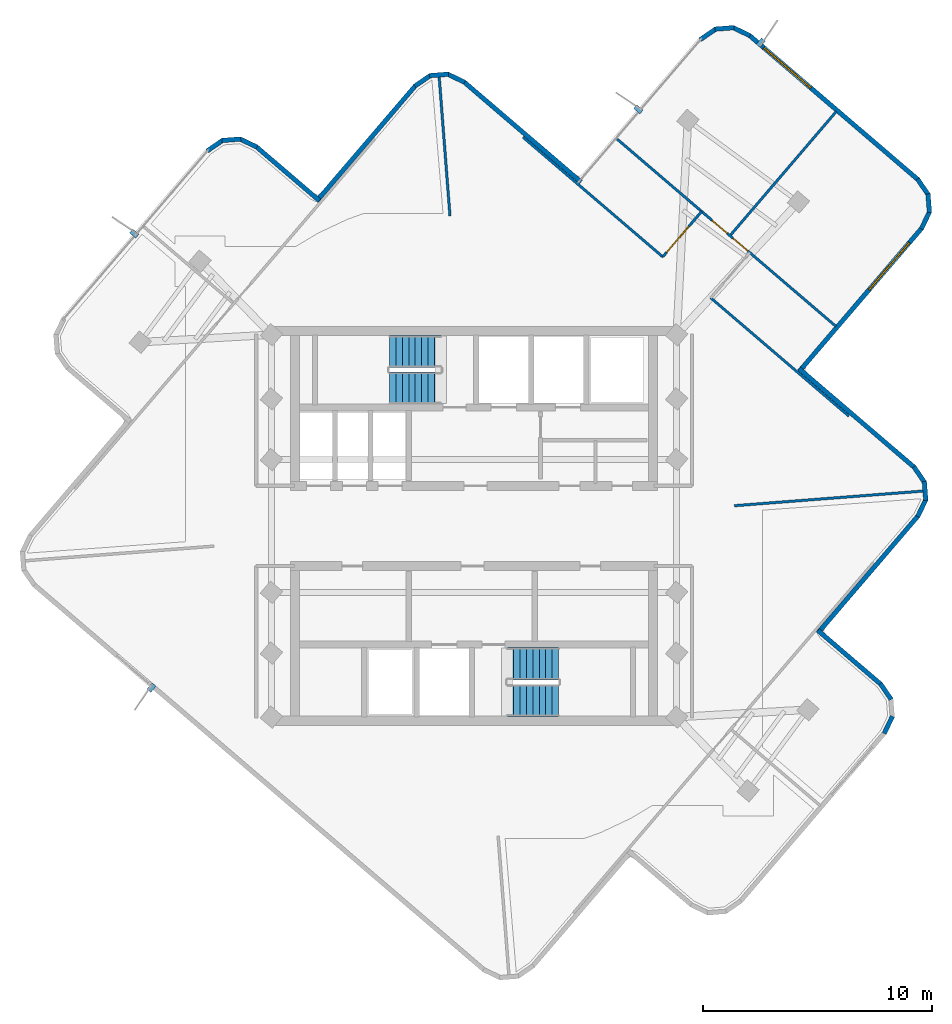
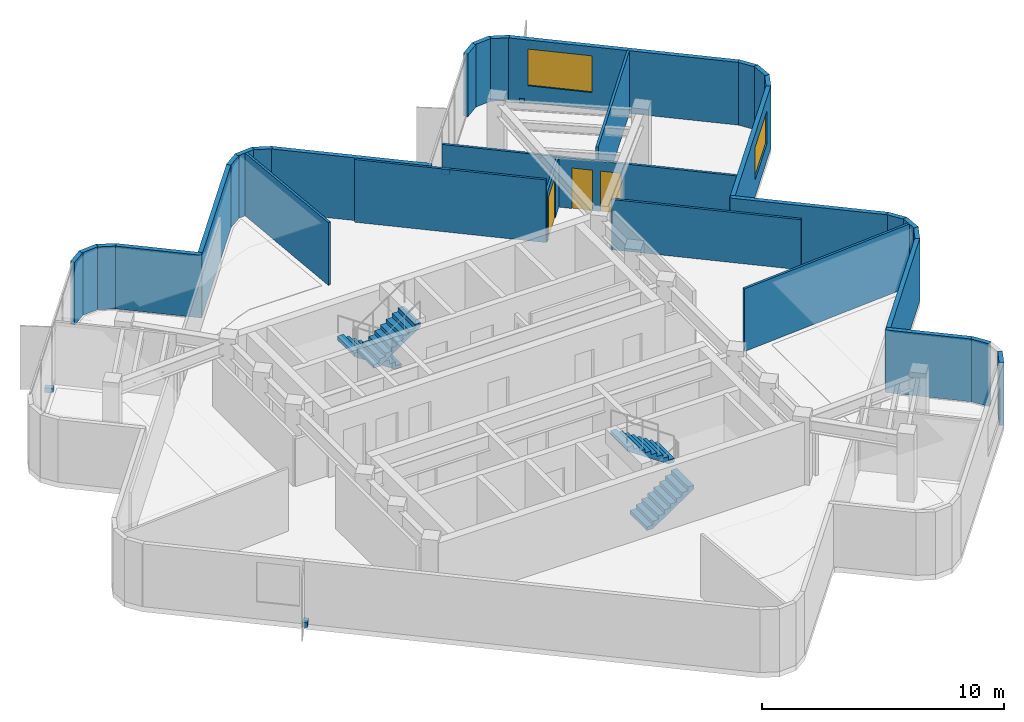
# One storey, part 7 of 10: 32 walls, 4 discrete accessories, 4 stair flights, 3 doors, 2 windows, 5 openings, 2 elements without a shape of their own.
"""IFC4 building model written with IfcOpenShell, lengths in metres."""

from ifc_helpers import new_model, si_unit, direction, frame, frame_2d, origin, origin_2d, place, context, subcontext, project, spatial, polyline, rectangle, outline, extrude, material, layer, layer_set, type_object, element, fill, aggregate, save


model = new_model("IFC4")

# Units and contexts
model_context = context("Model", 3, precision=1e-05, world=origin(), true_north=direction((0.0, 1.0)))
body_context = subcontext(model_context, "Body", "Model", "MODEL_VIEW")
ifc_project = project(units=[si_unit("LENGTHUNIT", "METRE"), si_unit("AREAUNIT", "SQUARE_METRE"), si_unit("VOLUMEUNIT", "CUBIC_METRE"), si_unit("PLANEANGLEUNIT", "RADIAN"), si_unit("MASSUNIT", "GRAM", prefix="KILO")], contexts=[model_context])

# Site, building, storey
site_placement = place(None, origin())
site = spatial("IfcSite", under=ifc_project, at=site_placement, CompositionType="ELEMENT")
building_placement = place(site_placement, origin())
building = spatial("IfcBuilding", under=site, at=building_placement, Name="Solmarez Civic Tower", CompositionType="ELEMENT")
storey_placement = place(building_placement, frame((0.0, 0.0, 254.340087890625)))
storey = spatial("IfcBuildingStorey", under=building, at=storey_placement, Name="L68", CompositionType="ELEMENT", Elevation=254.340087890625)

# Walls
ifc_material_1 = material(Name="Precast concrete C40/50", Category="concrete")
ifc_layer_1 = layer(ifc_material_1, 0.199951171875)
ifc_layer_set_1 = layer_set([ifc_layer_1], Name="Precast concrete C40/50")
wall_type_1 = type_object("IfcWallType", Name="WALL-EXT-200", PredefinedType="SOLIDWALL", material=ifc_layer_set_1)
wall_1_placement = place(storey_placement, frame((-11.657958984375, 16.3779296875, 0.0), z_axis=(0.0, 0.0, 1.0), x_axis=(0.824907237821, 0.565268121329, 0.0)))
element("IfcWall", 1, at=wall_1_placement, inside=storey, type_object=wall_type_1, Name="L68 Exterior Precast Wall 18", PredefinedType="SOLIDWALL", context=body_context, shape_type="SweptSolid", body=[
    extrude(rectangle(XDim=0.8388671875, YDim=0.199951171875, at=frame_2d((0.41943359375, 0.0))), origin(), (0.0, 0.0, 1.0), 3.159912109375),
])
wall_2_placement = place(storey_placement, frame((-11.011962890625, 16.8359375, 0.0), z_axis=(0.0, 0.0, 1.0), x_axis=(0.996986164412, 0.077579558977, 0.0)))
element("IfcWall", 2, at=wall_2_placement, inside=storey, type_object=wall_type_1, Name="L68 Exterior Precast Wall 19", PredefinedType="SOLIDWALL", context=body_context, shape_type="SweptSolid", body=[
    extrude(rectangle(XDim=0.824462890625, YDim=0.199951171875, at=frame_2d((0.412109375, 0.0))), origin(), (0.0, 0.0, 1.0), 3.159912109375),
])
wall_3_placement = place(storey_placement, frame((-10.238037109375, 16.908935546875, 0.0), z_axis=(0.0, 0.0, 1.0), x_axis=(0.902473334209, -0.430745726666, 0.0)))
element("IfcWall", 3, at=wall_3_placement, inside=storey, type_object=wall_type_1, Name="L68 Exterior Precast Wall 20", PredefinedType="SOLIDWALL", context=body_context, shape_type="SweptSolid", body=[
    extrude(rectangle(XDim=0.840087890625, YDim=0.199951171875, at=frame_2d((0.419921875, 0.0))), origin(), (0.0, 0.0, 1.0), 3.159912109375),
])
wall_4_placement = place(storey_placement, frame((-9.52197265625, 16.573974609375, 0.0), z_axis=(0.0, 0.0, 1.0), x_axis=(0.759914066759, -0.650023546606, 0.0)))
element("IfcWall", 4, at=wall_4_placement, inside=storey, type_object=wall_type_1, Name="L68 Exterior Precast Wall 21", PredefinedType="SOLIDWALL", context=body_context, shape_type="SweptSolid", body=[
    extrude(rectangle(XDim=3.641357421875, YDim=0.199951171875, at=frame_2d((1.82080078125, 0.0))), origin(), (0.0, 0.0, 1.0), 3.159912109375),
])
wall_5_placement = place(storey_placement, frame((-6.867919921875, 14.197998046875, 0.0), z_axis=(0.0, 0.0, 1.0), x_axis=(0.650240147413, 0.759728734939, 0.0)))
element("IfcWall", 5, at=wall_5_placement, inside=storey, type_object=wall_type_1, Name="L68 Exterior Precast Wall 24", PredefinedType="SOLIDWALL", context=body_context, shape_type="SweptSolid", body=[
    extrude(rectangle(XDim=6.640380859375, YDim=0.199951171875, at=frame_2d((3.3203125, 0.0))), origin(), (0.0, 0.0, 1.0), 3.159912109375),
])
wall_6_placement = place(storey_placement, frame((-2.5869140625, 19.2099609375, 0.0), z_axis=(0.0, 0.0, 1.0), x_axis=(0.824907237821, 0.565268121329, 0.0)))
element("IfcWall", 6, at=wall_6_placement, inside=storey, type_object=wall_type_1, Name="L68 Exterior Precast Wall 25", PredefinedType="SOLIDWALL", context=body_context, shape_type="SweptSolid", body=[
    extrude(rectangle(XDim=0.8388671875, YDim=0.199951171875, at=frame_2d((0.41943359375, 0.0))), origin(), (0.0, 0.0, 1.0), 3.159912109375),
])
wall_7_placement = place(storey_placement, frame((-1.94091796875, 19.66796875, 0.0), z_axis=(0.0, 0.0, 1.0), x_axis=(0.996986164412, 0.077579558977, 0.0)))
element("IfcWall", 7, at=wall_7_placement, inside=storey, type_object=wall_type_1, Name="L68 Exterior Precast Wall 26", PredefinedType="SOLIDWALL", context=body_context, shape_type="SweptSolid", body=[
    extrude(rectangle(XDim=0.824462890625, YDim=0.199951171875, at=frame_2d((0.412109375, 0.0))), origin(), (0.0, 0.0, 1.0), 3.159912109375),
])
wall_8_placement = place(storey_placement, frame((-1.1669921875, 19.740966796875, 0.0), z_axis=(0.0, 0.0, 1.0), x_axis=(0.902360330408, -0.430982405796, 0.0)))
element("IfcWall", 8, at=wall_8_placement, inside=storey, type_object=wall_type_1, Name="L68 Exterior Precast Wall 27", PredefinedType="SOLIDWALL", context=body_context, shape_type="SweptSolid", body=[
    extrude(rectangle(XDim=0.840087890625, YDim=0.199951171875, at=frame_2d((0.419921875, 0.0))), origin(), (0.0, 0.0, 1.0), 3.159912109375),
])
wall_9_placement = place(storey_placement, frame((-0.450927734375, 19.406005859375, 0.0), z_axis=(0.0, 0.0, 1.0), x_axis=(0.759775314842, -0.650185720357, 0.0)))
element("IfcWall", 9, at=wall_9_placement, inside=storey, type_object=wall_type_1, Name="L68 Exterior Precast Wall 28", PredefinedType="SOLIDWALL", context=body_context, shape_type="SweptSolid", body=[
    extrude(rectangle(XDim=6.7412109375, YDim=0.199951171875, at=frame_2d((3.37060546875, 0.0))), origin(), (0.0, 0.0, 1.0), 3.159912109375),
])
wall_10_placement = place(storey_placement, frame((9.8798828125, 21.241943359375, 0.0), z_axis=(0.0, 0.0, 1.0), x_axis=(0.825000211037, 0.565132419694, 0.0)))
element("IfcWall", 10, at=wall_10_placement, inside=storey, type_object=wall_type_1, Name="L68 Exterior Precast Wall 32", PredefinedType="SOLIDWALL", context=body_context, shape_type="SweptSolid", body=[
    extrude(rectangle(XDim=0.8388671875, YDim=0.199951171875, at=frame_2d((0.41943359375, 0.0))), origin(), (0.0, 0.0, 1.0), 3.159912109375),
])
wall_11_placement = place(storey_placement, frame((10.52587890625, 21.699951171875, 0.0), z_axis=(0.0, 0.0, 1.0), x_axis=(0.996986164412, 0.077579558977, 0.0)))
element("IfcWall", 11, at=wall_11_placement, inside=storey, type_object=wall_type_1, Name="L68 Exterior Precast Wall 33", PredefinedType="SOLIDWALL", context=body_context, shape_type="SweptSolid", body=[
    extrude(rectangle(XDim=0.824462890625, YDim=0.199951171875, at=frame_2d((0.412109375, 0.0))), origin(), (0.0, 0.0, 1.0), 3.159912109375),
])
wall_12_placement = place(storey_placement, frame((11.300048828125, 21.77294921875, 0.0), z_axis=(0.0, 0.0, 1.0), x_axis=(0.902089895834, -0.431548166297, 0.0)))
element("IfcWall", 12, at=wall_12_placement, inside=storey, type_object=wall_type_1, Name="L68 Exterior Precast Wall 34", PredefinedType="SOLIDWALL", context=body_context, shape_type="SweptSolid", body=[
    extrude(rectangle(XDim=0.8388671875, YDim=0.199951171875, at=frame_2d((0.41943359375, 0.0))), origin(), (0.0, 0.0, 1.0), 3.159912109375),
])

# Wall, opening, window
wall_13_placement = place(storey_placement, frame((12.014892578125, 21.43798828125, 0.0), z_axis=(0.0, 0.0, 1.0), x_axis=(0.75980042935, -0.650156371622, 0.0)))
wall_13 = element("IfcWall", 13, at=wall_13_placement, inside=storey, type_object=wall_type_1, Name="L68 Exterior Precast Wall 35", PredefinedType="SOLIDWALL", context=body_context, shape_type="SweptSolid", body=[
    extrude(rectangle(XDim=9.723876953125, YDim=0.199951171875, at=frame_2d((4.86181640625, 0.0))), origin(), (0.0, 0.0, 1.0), 3.159912109375),
])
opening_1_placement = place(wall_13_placement, frame((0.85009765625, 0.0, 0.85009765625)))
opening_1 = element("IfcOpeningElement", 14, at=opening_1_placement, cuts=wall_13, Name="Opening W-05", PredefinedType="OPENING", context=body_context, shape_type="SweptSolid", body=[
    extrude(rectangle(XDim=2.699951171875, YDim=1.85009765625, at=frame_2d((1.35009765625, 0.925048828125))), frame((0.0, 0.10986328125, 0.0), z_axis=(0.0, -1.0, 0.0), x_axis=(1.0, 0.0, 0.0)), (0.0, 0.0, 1.0), 0.219970703125),
])
ifc_material_2 = material(Name="Solar Control Bronze-Tinted Insulating Glass", Category="glass")
window_type_1 = type_object("IfcWindowType", Name="WIN-2700X1850", PartitioningType="SINGLE_PANEL", PredefinedType="WINDOW", material=ifc_material_2)
window_1_placement = place(opening_1_placement, origin())
window_1 = element("IfcWindow", 15, at=window_1_placement, inside=storey, type_object=window_type_1, Name="L68 Exterior Facade Window 35", OverallHeight=1.85009765625, OverallWidth=2.699951171875, PartitioningType="SINGLE_PANEL", PredefinedType="WINDOW", context=body_context, shape_type="SweptSolid", body=[
    extrude(rectangle(XDim=2.699951171875, YDim=1.85009765625, at=frame_2d((1.35009765625, 0.925048828125))), frame((0.0, 0.030029296875, 0.0), z_axis=(0.0, -1.0, 0.0), x_axis=(1.0, 0.0, 0.0)), (0.0, 0.0, 1.0), 0.06005859375),
])
fill(opening_1, window_1)

# Walls
wall_14_placement = place(storey_placement, frame((19.3701171875, 15.153076171875, 0.0), z_axis=(0.0, 0.0, 1.0), x_axis=(0.564140869434, -0.825678556967, 0.0)))
element("IfcWall", 16, at=wall_14_placement, inside=storey, type_object=wall_type_1, Name="L68 Exterior Precast Wall 36", PredefinedType="SOLIDWALL", context=body_context, shape_type="SweptSolid", body=[
    extrude(rectangle(XDim=0.83837890625, YDim=0.199951171875, at=frame_2d((0.419189453125, 0.0))), origin(), (0.0, 0.0, 1.0), 3.159912109375),
])
wall_15_placement = place(storey_placement, frame((19.826904296875, 14.507080078125, 0.0), z_axis=(0.0, 0.0, 1.0), x_axis=(0.07778202678, -0.996970388883, 0.0)))
element("IfcWall", 17, at=wall_15_placement, inside=storey, type_object=wall_type_1, Name="L68 Exterior Precast Wall 37", PredefinedType="SOLIDWALL", context=body_context, shape_type="SweptSolid", body=[
    extrude(rectangle(XDim=0.825439453125, YDim=0.199951171875, at=frame_2d((0.41259765625, 0.0))), origin(), (0.0, 0.0, 1.0), 3.159912109375),
])
wall_16_placement = place(storey_placement, frame((19.89990234375, 13.73193359375, 0.0), z_axis=(0.0, 0.0, 1.0), x_axis=(-0.431311318386, -0.902203162615, 0.0)))
element("IfcWall", 18, at=wall_16_placement, inside=storey, type_object=wall_type_1, Name="L68 Exterior Precast Wall 38", PredefinedType="SOLIDWALL", context=body_context, shape_type="SweptSolid", body=[
    extrude(rectangle(XDim=0.8388671875, YDim=0.199951171875, at=frame_2d((0.41943359375, 0.0))), origin(), (0.0, 0.0, 1.0), 3.159912109375),
])

# Wall, opening, window
wall_17_placement = place(storey_placement, frame((19.56494140625, 13.01708984375, 0.0), z_axis=(0.0, 0.0, 1.0), x_axis=(-0.650112914542, -0.759837613142, 0.0)))
wall_17 = element("IfcWall", 19, at=wall_17_placement, inside=storey, type_object=wall_type_1, Name="L68 Exterior Precast Wall 39", PredefinedType="SOLIDWALL", context=body_context, shape_type="SweptSolid", body=[
    extrude(rectangle(XDim=8.241455078125, YDim=0.199951171875, at=frame_2d((4.12060546875, 0.0))), origin(), (0.0, 0.0, 1.0), 3.159912109375),
])
opening_2_placement = place(wall_17_placement, frame((0.85009765625, 0.0, 0.85009765625)))
opening_2 = element("IfcOpeningElement", 20, at=opening_2_placement, cuts=wall_17, Name="Opening W-09", PredefinedType="OPENING", context=body_context, shape_type="SweptSolid", body=[
    extrude(rectangle(XDim=2.699951171875, YDim=1.64990234375, at=frame_2d((1.35009765625, 0.824951171875))), frame((0.0, 0.10986328125, 0.0), z_axis=(0.0, -1.0, 0.0), x_axis=(1.0, 0.0, 0.0)), (0.0, 0.0, 1.0), 0.219970703125),
])
window_type_2 = type_object("IfcWindowType", Name="WIN-2700X1650", PartitioningType="SINGLE_PANEL", PredefinedType="WINDOW", material=ifc_material_2)
window_2_placement = place(opening_2_placement, origin())
window_2 = element("IfcWindow", 21, at=window_2_placement, inside=storey, type_object=window_type_2, Name="L68 Exterior Facade Window 39", OverallHeight=1.64990234375, OverallWidth=2.699951171875, PartitioningType="SINGLE_PANEL", PredefinedType="WINDOW", context=body_context, shape_type="SweptSolid", body=[
    extrude(rectangle(XDim=2.699951171875, YDim=1.64990234375, at=frame_2d((1.35009765625, 0.824951171875))), frame((0.0, 0.030029296875, 0.0), z_axis=(0.0, -1.0, 0.0), x_axis=(1.0, 0.0, 0.0)), (0.0, 0.0, 1.0), 0.06005859375),
])
fill(opening_2, window_2)

# Walls
wall_18_placement = place(storey_placement, frame((14.197998046875, 6.867919921875, 0.0), z_axis=(0.0, 0.0, 1.0), x_axis=(0.759728734939, -0.650240147413, 0.0)))
element("IfcWall", 22, at=wall_18_placement, inside=storey, type_object=wall_type_1, Name="L68 Exterior Precast Wall 42", PredefinedType="SOLIDWALL", context=body_context, shape_type="SweptSolid", body=[
    extrude(rectangle(XDim=6.640380859375, YDim=0.199951171875, at=frame_2d((3.3203125, 0.0))), origin(), (0.0, 0.0, 1.0), 3.159912109375),
])
wall_19_placement = place(storey_placement, frame((19.2099609375, 2.5869140625, 0.0), z_axis=(0.0, 0.0, 1.0), x_axis=(0.565268121329, -0.824907237821, 0.0)))
element("IfcWall", 23, at=wall_19_placement, inside=storey, type_object=wall_type_1, Name="L68 Exterior Precast Wall 43", PredefinedType="SOLIDWALL", context=body_context, shape_type="SweptSolid", body=[
    extrude(rectangle(XDim=0.8388671875, YDim=0.199951171875, at=frame_2d((0.41943359375, 0.0))), origin(), (0.0, 0.0, 1.0), 3.159912109375),
])
wall_20_placement = place(storey_placement, frame((19.66796875, 1.94091796875, 0.0), z_axis=(0.0, 0.0, 1.0), x_axis=(0.077579558977, -0.996986164412, 0.0)))
element("IfcWall", 24, at=wall_20_placement, inside=storey, type_object=wall_type_1, Name="L68 Exterior Precast Wall 44", PredefinedType="SOLIDWALL", context=body_context, shape_type="SweptSolid", body=[
    extrude(rectangle(XDim=0.824462890625, YDim=0.199951171875, at=frame_2d((0.412109375, 0.0))), origin(), (0.0, 0.0, 1.0), 3.159912109375),
])
wall_21_placement = place(storey_placement, frame((19.740966796875, 1.1669921875, 0.0), z_axis=(0.0, 0.0, 1.0), x_axis=(-0.430982405796, -0.902360330408, 0.0)))
element("IfcWall", 25, at=wall_21_placement, inside=storey, type_object=wall_type_1, Name="L68 Exterior Precast Wall 45", PredefinedType="SOLIDWALL", context=body_context, shape_type="SweptSolid", body=[
    extrude(rectangle(XDim=0.840087890625, YDim=0.199951171875, at=frame_2d((0.419921875, 0.0))), origin(), (0.0, 0.0, 1.0), 3.159912109375),
])
wall_22_placement = place(storey_placement, frame((19.406005859375, 0.450927734375, 0.0), z_axis=(0.0, 0.0, 1.0), x_axis=(-0.650185720357, -0.759775314842, 0.0)))
element("IfcWall", 26, at=wall_22_placement, inside=storey, type_object=wall_type_1, Name="L68 Exterior Precast Wall 46", PredefinedType="SOLIDWALL", context=body_context, shape_type="SweptSolid", body=[
    extrude(rectangle(XDim=6.7412109375, YDim=0.199951171875, at=frame_2d((3.37060546875, 0.0))), origin(), (0.0, 0.0, 1.0), 3.159912109375),
])
wall_23_placement = place(storey_placement, frame((15.013916015625, -4.55810546875, 0.0), z_axis=(0.0, 0.0, 1.0), x_axis=(0.759781598798, -0.650178377161, 0.0)))
element("IfcWall", 27, at=wall_23_placement, inside=storey, type_object=wall_type_1, Name="L68 Exterior Precast Wall 49", PredefinedType="SOLIDWALL", context=body_context, shape_type="SweptSolid", body=[
    extrude(rectangle(XDim=3.641845703125, YDim=0.199951171875, at=frame_2d((1.82080078125, 0.0))), origin(), (0.0, 0.0, 1.0), 3.159912109375),
])
wall_24_placement = place(storey_placement, frame((17.748046875, -6.888916015625, 0.0), z_axis=(0.0, 0.0, 1.0), x_axis=(0.564140869434, -0.825678556967, 0.0)))
element("IfcWall", 28, at=wall_24_placement, inside=storey, type_object=wall_type_1, Name="L68 Exterior Precast Wall 50", PredefinedType="SOLIDWALL", context=body_context, shape_type="SweptSolid", body=[
    extrude(rectangle(XDim=0.83837890625, YDim=0.199951171875, at=frame_2d((0.419189453125, 0.0))), origin(), (0.0, 0.0, 1.0), 3.159912109375),
])
wall_25_placement = place(storey_placement, frame((18.278076171875, -8.30908203125, 0.0), z_axis=(0.0, 0.0, 1.0), x_axis=(-0.431548166297, -0.902089895834, 0.0)))
element("IfcWall", 29, at=wall_25_placement, inside=storey, type_object=wall_type_1, Name="L68 Exterior Precast Wall 52", PredefinedType="SOLIDWALL", context=body_context, shape_type="SweptSolid", body=[
    extrude(rectangle(XDim=0.8388671875, YDim=0.199951171875, at=frame_2d((0.41943359375, 0.0))), origin(), (0.0, 0.0, 1.0), 3.159912109375),
])
ifc_material_3 = material(Name="Gypsum Board Acoustic Steel-Stud Partition", Category="steel")
ifc_layer_2 = layer(ifc_material_3, 0.110107421875)
ifc_layer_set_2 = layer_set([ifc_layer_2], Name="Gypsum Board Acoustic Steel-Stud Partition")
wall_type_2 = type_object("IfcWallType", Name="WALL-INT-PART-110", PredefinedType="PARTITIONING", material=ifc_layer_set_2)
wall_26_placement = place(storey_placement, frame((-1.052001953125, 13.5400390625, 0.0), z_axis=(0.0, 0.0, 1.0), x_axis=(-0.077356131702, 0.997003525013, 0.0)))
element("IfcWall", 30, at=wall_26_placement, inside=storey, type_object=wall_type_2, Name="L68 Interior Partition PT-L68-QDIV-1", PredefinedType="PARTITIONING", context=body_context, shape_type="SweptSolid", body=[
    extrude(rectangle(XDim=6.11328125, YDim=0.110107421875, at=frame_2d((3.056640625, 0.0))), origin(), (0.0, 0.0, 1.0), 3.159912109375),
])
wall_27_placement = place(storey_placement, frame((11.365966796875, 0.883056640625, 0.0), z_axis=(0.0, 0.0, 1.0), x_axis=(0.997001087863, 0.077387536463, 0.0)))
element("IfcWall", 31, at=wall_27_placement, inside=storey, type_object=wall_type_2, Name="L68 Interior Partition PT-L68-QDIV-4", PredefinedType="PARTITIONING", context=body_context, shape_type="SweptSolid", body=[
    extrude(rectangle(XDim=8.2939453125, YDim=0.110107421875, at=frame_2d((4.14697265625, 0.0))), origin(), (0.0, 0.0, 1.0), 3.159912109375),
])
wall_28_placement = place(storey_placement, frame((8.2509765625, 11.7470703125, 0.0), z_axis=(0.0, 0.0, 1.0), x_axis=(-0.759658945325, 0.650321679469, 0.0)))
element("IfcWall", 32, at=wall_28_placement, inside=storey, type_object=wall_type_2, Name="L68 Interior Partition PT-L68-E-EFL", PredefinedType="PARTITIONING", context=body_context, shape_type="SweptSolid", body=[
    extrude(rectangle(XDim=8.049560546875, YDim=0.110107421875, at=frame_2d((4.02490234375, 0.0))), origin(), (0.0, 0.0, 1.0), 3.159912109375),
])
wall_29_placement = place(storey_placement, frame((16.3720703125, 4.7958984375, 0.0), z_axis=(0.0, 0.0, 1.0), x_axis=(-0.759640163548, 0.650343618348, 0.0)))
element("IfcWall", 33, at=wall_29_placement, inside=storey, type_object=wall_type_2, Name="L68 Interior Partition PT-L68-E-EFR", PredefinedType="PARTITIONING", context=body_context, shape_type="SweptSolid", body=[
    extrude(rectangle(XDim=7.949951171875, YDim=0.110107421875, at=frame_2d((3.97509765625, 0.0))), origin(), (0.0, 0.0, 1.0), 2.530029296875),
])

# Wall, opening, door
wall_30_placement = place(storey_placement, frame((9.94091796875, 13.737060546875, 0.0), z_axis=(0.0, 0.0, 1.0), x_axis=(-0.65016721503, -0.759791150581, 0.0)))
wall_30 = element("IfcWall", 34, at=wall_30_placement, inside=storey, type_object=wall_type_2, Name="L68 Interior Partition PT-L68-E-SL", PredefinedType="PARTITIONING", context=body_context, shape_type="SweptSolid", body=[
    extrude(rectangle(XDim=2.610107421875, YDim=0.110107421875, at=frame_2d((1.30517578125, 0.0))), origin(), (0.0, 0.0, 1.0), 2.530029296875),
])
opening_3_placement = place(wall_30_placement, frame((0.85498046875, 0.0, 0.0)))
opening_3 = element("IfcOpeningElement", 35, at=opening_3_placement, cuts=wall_30, Name="Opening D-16", PredefinedType="OPENING", context=body_context, shape_type="SweptSolid", body=[
    extrude(rectangle(XDim=1.5, YDim=2.1201171875, at=frame_2d((0.75, 1.06005859375))), frame((0.0, 0.06494140625, 0.0), z_axis=(0.0, -1.0, 0.0), x_axis=(1.0, 0.0, 0.0)), (0.0, 0.0, 1.0), 0.130126953125),
])
ifc_material_4 = material(Name="Diplomatic Protocol Reception Door", Category="wood")
door_type_1 = type_object("IfcDoorType", Name="DOOR-INT-1500", OperationType="NOTDEFINED", PredefinedType="DOOR", material=ifc_material_4)
door_1_placement = place(opening_3_placement, origin())
door_1 = element("IfcDoor", 36, at=door_1_placement, inside=storey, type_object=door_type_1, Name="L68 Executive Chamber Co-Working Policy Workspace East Door", OperationType="SINGLE_SWING_LEFT", OverallHeight=2.1201171875, OverallWidth=1.5, PredefinedType="DOOR", context=body_context, shape_type="SweptSolid", body=[
    extrude(rectangle(XDim=1.5, YDim=2.1201171875, at=frame_2d((0.75, 1.06005859375))), frame((0.0, 0.02490234375, 0.0), z_axis=(0.0, -1.0, 0.0), x_axis=(1.0, 0.0, 0.0)), (0.0, 0.0, 1.0), 0.050048828125),
])
fill(opening_3, door_1)

# Wall
wall_31_placement = place(storey_placement, frame((11.218017578125, 12.721923828125, 0.0), z_axis=(0.0, 0.0, 1.0), x_axis=(0.650148936059, 0.75980679185, 0.0)))
element("IfcWall", 37, at=wall_31_placement, inside=storey, type_object=wall_type_2, Name="L68 Interior Partition PT-L68-E-TM", PredefinedType="PARTITIONING", context=body_context, shape_type="SweptSolid", body=[
    extrude(rectangle(XDim=7.075439453125, YDim=0.110107421875, at=frame_2d((3.53759765625, 0.0))), origin(), (0.0, 0.0, 1.0), 3.159912109375),
])

# Wall, openings, doors
wall_32_placement = place(storey_placement, frame((6.251953125, 16.89404296875, 0.0), z_axis=(0.0, 0.0, 1.0), x_axis=(0.759715677597, -0.650255403063, 0.0)))
wall_32 = element("IfcWall", 38, at=wall_32_placement, inside=storey, type_object=wall_type_2, Name="L68 Interior Partition PT-L68-E-END", PredefinedType="PARTITIONING", context=body_context, shape_type="SweptSolid", body=[
    extrude(rectangle(XDim=12.570556640625, YDim=0.110107421875, at=frame_2d((6.28515625, 0.0))), origin(), (0.0, 0.0, 1.0), 2.530029296875),
])
opening_4_placement = place(wall_32_placement, frame((6.655029296875, 0.0, 0.0)))
opening_4 = element("IfcOpeningElement", 39, at=opening_4_placement, cuts=wall_32, Name="Opening D-14", PredefinedType="OPENING", context=body_context, shape_type="SweptSolid", body=[
    extrude(rectangle(XDim=0.860107421875, YDim=2.0400390625, at=frame_2d((0.43017578125, 1.02001953125))), frame((0.0, 0.06494140625, 0.0), z_axis=(0.0, -1.0, 0.0), x_axis=(1.0, 0.0, 0.0)), (0.0, 0.0, 1.0), 0.130126953125),
])
opening_5_placement = place(wall_32_placement, frame((5.455078125, 0.0, 0.0)))
opening_5 = element("IfcOpeningElement", 40, at=opening_5_placement, cuts=wall_32, Name="Opening D-14", PredefinedType="OPENING", context=body_context, shape_type="SweptSolid", body=[
    extrude(rectangle(XDim=0.860107421875, YDim=2.0400390625, at=frame_2d((0.43017578125, 1.02001953125))), frame((0.0, 0.06494140625, 0.0), z_axis=(0.0, -1.0, 0.0), x_axis=(1.0, 0.0, 0.0)), (0.0, 0.0, 1.0), 0.130126953125),
])
ifc_material_5 = material(Name="Timber Storage and Pantry Door", Category="wood")
door_type_2 = type_object("IfcDoorType", Name="DOOR-INT-850", OperationType="NOTDEFINED", PredefinedType="DOOR", material=ifc_material_5)
door_2_placement = place(opening_4_placement, origin())
door_2 = element("IfcDoor", 41, at=door_2_placement, inside=storey, type_object=door_type_2, Name="L68 Staff Tea Pantry Sixth East Door", OperationType="SINGLE_SWING_RIGHT", OverallHeight=2.0400390625, OverallWidth=0.860107421875, PredefinedType="DOOR", context=body_context, shape_type="SweptSolid", body=[
    extrude(rectangle(XDim=0.860107421875, YDim=2.0400390625, at=frame_2d((0.43017578125, 1.02001953125))), frame((0.0, 0.02490234375, 0.0), z_axis=(0.0, -1.0, 0.0), x_axis=(1.0, 0.0, 0.0)), (0.0, 0.0, 1.0), 0.050048828125),
])
fill(opening_4, door_2)
door_3_placement = place(opening_5_placement, origin())
door_3 = element("IfcDoor", 42, at=door_3_placement, inside=storey, type_object=door_type_2, Name="L68 Municipal Mailroom Fifth East Door", OperationType="SINGLE_SWING_LEFT", OverallHeight=2.0400390625, OverallWidth=0.860107421875, PredefinedType="DOOR", context=body_context, shape_type="SweptSolid", body=[
    extrude(rectangle(XDim=0.860107421875, YDim=2.0400390625, at=frame_2d((0.43017578125, 1.02001953125))), frame((0.0, 0.02490234375, 0.0), z_axis=(0.0, -1.0, 0.0), x_axis=(1.0, 0.0, 0.0)), (0.0, 0.0, 1.0), 0.050048828125),
])
fill(opening_5, door_3)

# Stair, stair flights
ifc_material_6 = material(Name="Concrete C50/60", Category="concrete")
stair_type = type_object("IfcStairType", Name="STAIR-DOGLEG-140W-18R-1900", PredefinedType="HALF_TURN_STAIR", material=ifc_material_6)
stair_1_placement = place(storey_placement, origin())
stair_1 = element("IfcStair", 43, at=stair_1_placement, inside=storey, type_object=stair_type, Name="L68 North Core Protected Exit Stair ST-1", PredefinedType="HALF_TURN_STAIR")
stair_flight_type = type_object("IfcStairFlightType", Name="FLIGHT-DOGLEG-140W-9R-1900", PredefinedType="STRAIGHT", material=ifc_material_6)
stair_flight_1_placement = place(storey_placement, frame((-1.449951171875, 7.6201171875, 0.0), z_axis=(0.0, 0.0, 1.0), x_axis=(-1.0, 0.0, 0.0)))
stair_flight_1 = element("IfcStairFlight", 44, at=stair_flight_1_placement, type_object=stair_flight_type, Name="ST-1 flight 1", NumberOfRisers=9, NumberOfTreads=8, PredefinedType="STRAIGHT", RiserHeight=0.19, TreadLength=0.28, context=body_context, shape_type="SweptSolid", body=[
    extrude(outline(polyline([(0.0, 0.0), (0.0, 0.18994140625), (0.280029296875, 0.18994140625), (0.280029296875, 0.3798828125), (0.56005859375, 0.3798828125), (0.56005859375, 0.570068359375), (0.840087890625, 0.570068359375), (0.840087890625, 0.760009765625), (1.1201171875, 0.760009765625), (1.1201171875, 0.949951171875), (1.39990234375, 0.949951171875), (1.39990234375, 1.139892578125), (1.679931640625, 1.139892578125), (1.679931640625, 1.330078125), (1.9599609375, 1.330078125), (1.9599609375, 1.52001953125), (2.239990234375, 1.52001953125), (2.239990234375, 1.7099609375), (2.239990234375, 1.32666015625), (0.284912109375, 0.0), (0.0, 0.0)])), frame((0.0, 0.699951171875, 0.0), z_axis=(0.0, -1.0, 0.0), x_axis=(1.0, 0.0, 0.0)), (0.0, 0.0, 1.0), 1.39990234375),
])
stair_flight_2_placement = place(storey_placement, frame((-3.68994140625, 6.02001953125, 1.7099609375), z_axis=(0.0, 0.0, 1.0), x_axis=(1.0, 0.0, 0.0)))
stair_flight_2 = element("IfcStairFlight", 45, at=stair_flight_2_placement, type_object=stair_flight_type, Name="ST-1 flight 2", NumberOfRisers=9, NumberOfTreads=8, PredefinedType="STRAIGHT", RiserHeight=0.19, TreadLength=0.28, context=body_context, shape_type="SweptSolid", body=[
    extrude(outline(polyline([(0.0, 0.0), (0.0, 0.18994140625), (0.280029296875, 0.18994140625), (0.280029296875, 0.3798828125), (0.56005859375, 0.3798828125), (0.56005859375, 0.570068359375), (0.840087890625, 0.570068359375), (0.840087890625, 0.760009765625), (1.1201171875, 0.760009765625), (1.1201171875, 0.949951171875), (1.39990234375, 0.949951171875), (1.39990234375, 1.139892578125), (1.679931640625, 1.139892578125), (1.679931640625, 1.330078125), (1.9599609375, 1.330078125), (1.9599609375, 1.52001953125), (2.239990234375, 1.52001953125), (2.239990234375, 1.7099609375), (2.239990234375, 1.32666015625), (0.284912109375, 0.0), (0.0, 0.0)])), frame((0.0, 0.699951171875, 0.0), z_axis=(0.0, -1.0, 0.0), x_axis=(1.0, 0.0, 0.0)), (0.0, 0.0, 1.0), 1.39990234375),
])
aggregate(stair_1, [stair_flight_1, stair_flight_2])

stair_2_placement = place(storey_placement, origin())
stair_2 = element("IfcStair", 46, at=stair_2_placement, inside=storey, type_object=stair_type, Name="L68 South Core Protected Exit Stair ST-2", PredefinedType="HALF_TURN_STAIR")
stair_flight_3_placement = place(storey_placement, frame((1.449951171875, -7.6201171875, 0.0), z_axis=(0.0, 0.0, 1.0), x_axis=(1.0, 0.0, 0.0)))
stair_flight_3 = element("IfcStairFlight", 47, at=stair_flight_3_placement, type_object=stair_flight_type, Name="ST-2 flight 1", NumberOfRisers=9, NumberOfTreads=8, PredefinedType="STRAIGHT", RiserHeight=0.19, TreadLength=0.28, context=body_context, shape_type="SweptSolid", body=[
    extrude(outline(polyline([(0.0, 0.0), (0.0, 0.18994140625), (0.280029296875, 0.18994140625), (0.280029296875, 0.3798828125), (0.56005859375, 0.3798828125), (0.56005859375, 0.570068359375), (0.840087890625, 0.570068359375), (0.840087890625, 0.760009765625), (1.1201171875, 0.760009765625), (1.1201171875, 0.949951171875), (1.39990234375, 0.949951171875), (1.39990234375, 1.139892578125), (1.679931640625, 1.139892578125), (1.679931640625, 1.330078125), (1.9599609375, 1.330078125), (1.9599609375, 1.52001953125), (2.239990234375, 1.52001953125), (2.239990234375, 1.7099609375), (2.239990234375, 1.32666015625), (0.284912109375, 0.0), (0.0, 0.0)])), frame((0.0, 0.699951171875, 0.0), z_axis=(0.0, -1.0, 0.0), x_axis=(1.0, 0.0, 0.0)), (0.0, 0.0, 1.0), 1.39990234375),
])
stair_flight_4_placement = place(storey_placement, frame((3.68994140625, -6.02001953125, 1.7099609375), z_axis=(0.0, 0.0, 1.0), x_axis=(-1.0, 0.0, 0.0)))
stair_flight_4 = element("IfcStairFlight", 48, at=stair_flight_4_placement, type_object=stair_flight_type, Name="ST-2 flight 2", NumberOfRisers=9, NumberOfTreads=8, PredefinedType="STRAIGHT", RiserHeight=0.19, TreadLength=0.28, context=body_context, shape_type="SweptSolid", body=[
    extrude(outline(polyline([(0.0, 0.0), (0.0, 0.18994140625), (0.280029296875, 0.18994140625), (0.280029296875, 0.3798828125), (0.56005859375, 0.3798828125), (0.56005859375, 0.570068359375), (0.840087890625, 0.570068359375), (0.840087890625, 0.760009765625), (1.1201171875, 0.760009765625), (1.1201171875, 0.949951171875), (1.39990234375, 0.949951171875), (1.39990234375, 1.139892578125), (1.679931640625, 1.139892578125), (1.679931640625, 1.330078125), (1.9599609375, 1.330078125), (1.9599609375, 1.52001953125), (2.239990234375, 1.52001953125), (2.239990234375, 1.7099609375), (2.239990234375, 1.32666015625), (0.284912109375, 0.0), (0.0, 0.0)])), frame((0.0, 0.699951171875, 0.0), z_axis=(0.0, -1.0, 0.0), x_axis=(1.0, 0.0, 0.0)), (0.0, 0.0, 1.0), 1.39990234375),
])
aggregate(stair_2, [stair_flight_3, stair_flight_4])

# Discrete accessories
ifc_material_7 = material(Name="Stainless Steel Grade 1.4401", Category="steel")
discrete_accessory_type = type_object("IfcDiscreteAccessoryType", Name="BRACKET-SS-FIN", PredefinedType="BRACKET", material=ifc_material_7)
for number, where, z_axis, x_axis, name in (
    (49, (-14.089111328125, -7.06591796875, -0.06005859375), (0.0, 0.0, 1.0), (-0.65025647063, -0.759714763845, 0.0), "L68 Stainless Fin Support Bracket FIN-L68-01"),
    (50, (-14.843017578125, 12.77001953125, -0.06005859375), (0.0, 0.0, 1.0), (-0.759723431268, 0.650246344075, 0.0), "L68 Stainless Fin Support Bracket FIN-L68-02"),
    (51, (7.177001953125, 18.197021484375, -0.06005859375), (0.0, 0.0, 1.0), (-0.7596815503, 0.650295273036, 0.0), "L68 Stainless Fin Support Bracket FIN-L68-03"),
    (52, (12.52294921875, 21.10888671875, -0.06005859375), (0.0, 0.0, 1.0), (0.650195277223, 0.75976713635, 0.0), "L68 Stainless Fin Support Bracket FIN-L68-04"),
):
    element("IfcDiscreteAccessory", number, at=place(storey_placement, frame(where, z_axis=z_axis, x_axis=x_axis)), inside=storey, type_object=discrete_accessory_type, Name=name, PredefinedType="BRACKET", context=body_context, shape_type="SweptSolid", body=[
        extrude(rectangle(XDim=0.360107421875, YDim=0.219970703125, at=origin_2d()), origin(), (0.0, 0.0, 1.0), 0.239990234375),
    ])

save(model, "model.ifc")
